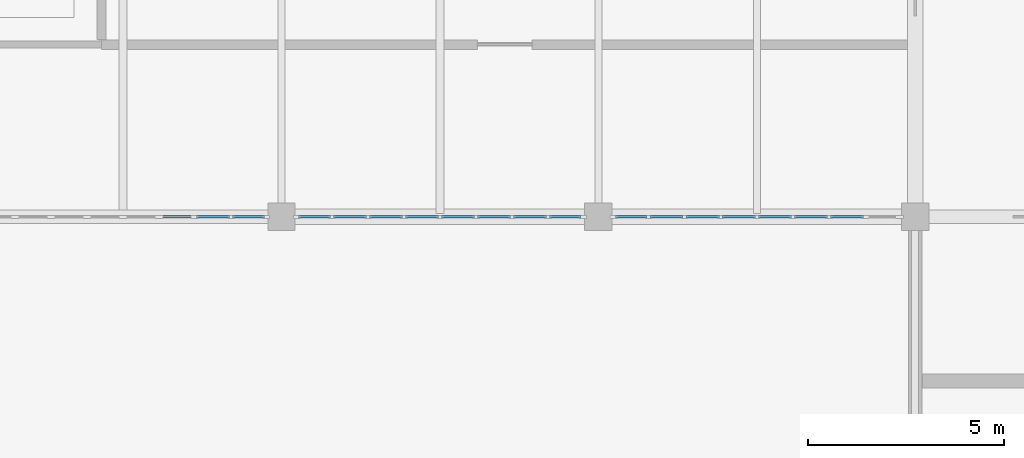
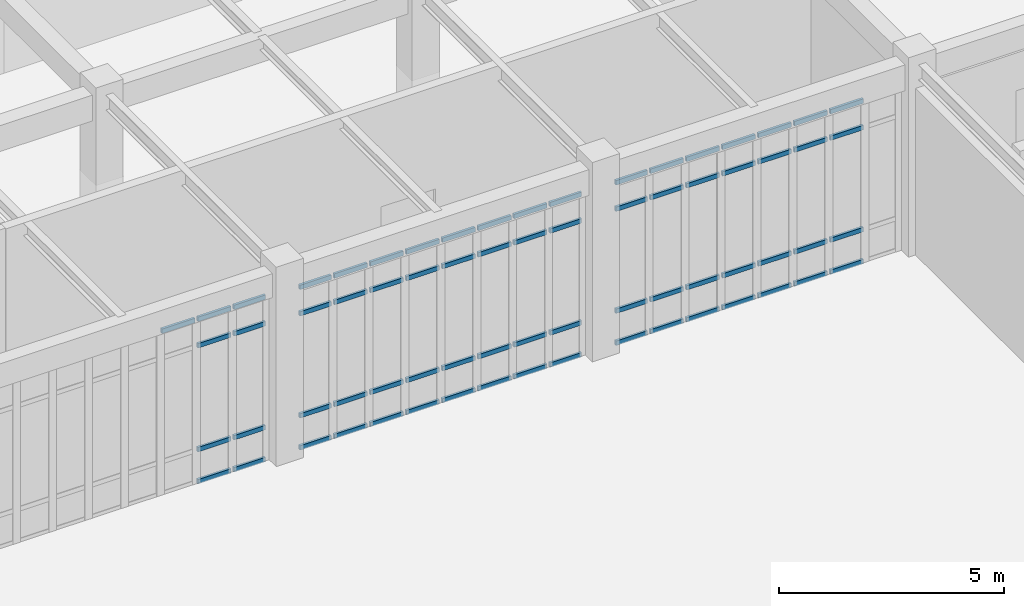
# One storey, part 26 of 62: 69 members, 3 elements without a shape of their own.
"""IFC4 building model written with IfcOpenShell, lengths in metres."""

from ifc_helpers import new_model, si_unit, direction, frame, origin, origin_2d, place, context, subcontext, project, spatial, rectangle, extrude, material, material_profile, profile_set, type_object, element, aggregate, save


model = new_model("IFC4")

# Units and contexts
model_context = context("Model", 3, precision=1e-05, world=origin(), true_north=direction((0.0, 1.0)))
body_context = subcontext(model_context, "Body", "Model", "MODEL_VIEW")
ifc_project = project(units=[si_unit("LENGTHUNIT", "METRE"), si_unit("AREAUNIT", "SQUARE_METRE"), si_unit("VOLUMEUNIT", "CUBIC_METRE"), si_unit("PLANEANGLEUNIT", "RADIAN"), si_unit("MASSUNIT", "GRAM", prefix="KILO")], contexts=[model_context])

# Site, building, storey
site_placement = place(None, origin())
site = spatial("IfcSite", under=ifc_project, at=site_placement, CompositionType="ELEMENT")
building_placement = place(site_placement, origin())
building = spatial("IfcBuilding", under=site, at=building_placement, Name="Tarnveldt Square Police Headquarters", CompositionType="ELEMENT")
storey_placement = place(building_placement, origin())
storey = spatial("IfcBuildingStorey", under=building, at=storey_placement, Name="L00", CompositionType="ELEMENT", Elevation=0.0)

# Curtain wall, members
ifc_material_1 = material(Name="Triple-glazed low-e laminated vision glass", Category="glass")
curtain_wall_type_1 = type_object("IfcCurtainWallType", Name="CW-LB-737x446", PredefinedType="USERDEFINED", material=ifc_material_1)
curtain_wall_1_placement = place(storey_placement, origin())
curtain_wall_1 = element("IfcCurtainWall", 1, at=curtain_wall_1_placement, inside=storey, type_object=curtain_wall_type_1, Name="L00 Curtain Wall CW-L00-102", ObjectType="GLAZED CURTAIN WALL", PredefinedType="USERDEFINED")
ifc_material_2 = material(Name="Thermally broken anodised aluminium 6063-T6", Category="aluminium")
ifc_material_profile = material_profile(ifc_material_2, rectangle(XDim=0.06494140625, YDim=0.1201171875, at=origin_2d()), Name="CW-T65x120")
ifc_profile_set = profile_set([ifc_material_profile], Name="Thermally broken anodised aluminium 6063-T6")
member_type = type_object("IfcMemberType", Name="CWT-65x120", PredefinedType="USERDEFINED", material=ifc_profile_set)
member_1_placement = place(storey_placement, frame((86.0087890625, 96.0, 4.429443359375), z_axis=(1.0, 0.0, 0.0), x_axis=(0.0, 1.0, 0.0)))
member_1 = element("IfcMember", 2, at=member_1_placement, type_object=member_type, Name="CW-LB58 transom 6.4", ObjectType="TRANSOM", PredefinedType="USERDEFINED", context=body_context, shape_type="SweptSolid", body=[
    extrude(rectangle(XDim=0.06494140625, YDim=0.1201171875, at=origin_2d()), origin(), (0.0, 0.0, 1.0), 0.84619140625),
])
member_2_placement = place(storey_placement, frame((86.929931640625, 96.0, 0.032470703125), z_axis=(1.0, 0.0, 0.0), x_axis=(0.0, 1.0, 0.0)))
member_2 = element("IfcMember", 3, at=member_2_placement, type_object=member_type, Name="CW-LB58 transom 7.1", ObjectType="TRANSOM", PredefinedType="USERDEFINED", context=body_context, shape_type="SweptSolid", body=[
    extrude(rectangle(XDim=0.06494140625, YDim=0.1201171875, at=origin_2d()), origin(), (0.0, 0.0, 1.0), 0.846435546875),
])
member_3_placement = place(storey_placement, frame((86.929931640625, 96.0, 0.89990234375), z_axis=(1.0, 0.0, 0.0), x_axis=(0.0, 1.0, 0.0)))
member_3 = element("IfcMember", 4, at=member_3_placement, type_object=member_type, Name="CW-LB58 transom 7.2", ObjectType="TRANSOM", PredefinedType="USERDEFINED", context=body_context, shape_type="SweptSolid", body=[
    extrude(rectangle(XDim=0.06494140625, YDim=0.1201171875, at=origin_2d()), origin(), (0.0, 0.0, 1.0), 0.846435546875),
])
member_4_placement = place(storey_placement, frame((86.929931640625, 96.0, 3.7119140625), z_axis=(1.0, 0.0, 0.0), x_axis=(0.0, 1.0, 0.0)))
member_4 = element("IfcMember", 5, at=member_4_placement, type_object=member_type, Name="CW-LB58 transom 7.3", ObjectType="TRANSOM", PredefinedType="USERDEFINED", context=body_context, shape_type="SweptSolid", body=[
    extrude(rectangle(XDim=0.06494140625, YDim=0.1201171875, at=origin_2d()), origin(), (0.0, 0.0, 1.0), 0.846435546875),
])
member_5_placement = place(storey_placement, frame((86.929931640625, 96.0, 4.429443359375), z_axis=(1.0, 0.0, 0.0), x_axis=(0.0, 1.0, 0.0)))
member_5 = element("IfcMember", 6, at=member_5_placement, type_object=member_type, Name="CW-LB58 transom 7.4", ObjectType="TRANSOM", PredefinedType="USERDEFINED", context=body_context, shape_type="SweptSolid", body=[
    extrude(rectangle(XDim=0.06494140625, YDim=0.1201171875, at=origin_2d()), origin(), (0.0, 0.0, 1.0), 0.846435546875),
])
member_6_placement = place(storey_placement, frame((87.851318359375, 96.0, 0.032470703125), z_axis=(1.0, 0.0, 0.0), x_axis=(0.0, 1.0, 0.0)))
member_6 = element("IfcMember", 7, at=member_6_placement, type_object=member_type, Name="CW-LB58 transom 8.1", ObjectType="TRANSOM", PredefinedType="USERDEFINED", context=body_context, shape_type="SweptSolid", body=[
    extrude(rectangle(XDim=0.06494140625, YDim=0.1201171875, at=origin_2d()), origin(), (0.0, 0.0, 1.0), 0.80859375),
])
member_7_placement = place(storey_placement, frame((87.851318359375, 96.0, 0.89990234375), z_axis=(1.0, 0.0, 0.0), x_axis=(0.0, 1.0, 0.0)))
member_7 = element("IfcMember", 8, at=member_7_placement, type_object=member_type, Name="CW-LB58 transom 8.2", ObjectType="TRANSOM", PredefinedType="USERDEFINED", context=body_context, shape_type="SweptSolid", body=[
    extrude(rectangle(XDim=0.06494140625, YDim=0.1201171875, at=origin_2d()), origin(), (0.0, 0.0, 1.0), 0.80859375),
])
member_8_placement = place(storey_placement, frame((87.851318359375, 96.0, 3.7119140625), z_axis=(1.0, 0.0, 0.0), x_axis=(0.0, 1.0, 0.0)))
member_8 = element("IfcMember", 9, at=member_8_placement, type_object=member_type, Name="CW-LB58 transom 8.3", ObjectType="TRANSOM", PredefinedType="USERDEFINED", context=body_context, shape_type="SweptSolid", body=[
    extrude(rectangle(XDim=0.06494140625, YDim=0.1201171875, at=origin_2d()), origin(), (0.0, 0.0, 1.0), 0.80859375),
])
member_9_placement = place(storey_placement, frame((87.851318359375, 96.0, 4.429443359375), z_axis=(1.0, 0.0, 0.0), x_axis=(0.0, 1.0, 0.0)))
member_9 = element("IfcMember", 10, at=member_9_placement, type_object=member_type, Name="CW-LB58 transom 8.4", ObjectType="TRANSOM", PredefinedType="USERDEFINED", context=body_context, shape_type="SweptSolid", body=[
    extrude(rectangle(XDim=0.06494140625, YDim=0.1201171875, at=origin_2d()), origin(), (0.0, 0.0, 1.0), 0.80859375),
])
aggregate(curtain_wall_1, [member_1, member_2, member_3, member_4, member_5, member_6, member_7, member_8, member_9])

curtain_wall_type_2 = type_object("IfcCurtainWallType", Name="CW-LB-737x441", PredefinedType="USERDEFINED", material=ifc_material_1)
curtain_wall_2_placement = place(storey_placement, origin())
curtain_wall_2 = element("IfcCurtainWall", 11, at=curtain_wall_2_placement, inside=storey, type_object=curtain_wall_type_2, Name="L00 Curtain Wall CW-L00-103", ObjectType="GLAZED CURTAIN WALL", PredefinedType="USERDEFINED")
member_10_placement = place(storey_placement, frame((89.5400390625, 96.0, 0.032470703125), z_axis=(1.0, 0.0, 0.0), x_axis=(0.0, 1.0, 0.0)))
member_10 = element("IfcMember", 12, at=member_10_placement, type_object=member_type, Name="CW-LB59 transom 1.1", ObjectType="TRANSOM", PredefinedType="USERDEFINED", context=body_context, shape_type="SweptSolid", body=[
    extrude(rectangle(XDim=0.06494140625, YDim=0.1201171875, at=origin_2d()), origin(), (0.0, 0.0, 1.0), 0.80859375),
])
member_11_placement = place(storey_placement, frame((89.5400390625, 96.0, 0.89990234375), z_axis=(1.0, 0.0, 0.0), x_axis=(0.0, 1.0, 0.0)))
member_11 = element("IfcMember", 13, at=member_11_placement, type_object=member_type, Name="CW-LB59 transom 1.2", ObjectType="TRANSOM", PredefinedType="USERDEFINED", context=body_context, shape_type="SweptSolid", body=[
    extrude(rectangle(XDim=0.06494140625, YDim=0.1201171875, at=origin_2d()), origin(), (0.0, 0.0, 1.0), 0.80859375),
])
member_12_placement = place(storey_placement, frame((89.5400390625, 96.0, 3.662109375), z_axis=(1.0, 0.0, 0.0), x_axis=(0.0, 1.0, 0.0)))
member_12 = element("IfcMember", 14, at=member_12_placement, type_object=member_type, Name="CW-LB59 transom 1.3", ObjectType="TRANSOM", PredefinedType="USERDEFINED", context=body_context, shape_type="SweptSolid", body=[
    extrude(rectangle(XDim=0.06494140625, YDim=0.1201171875, at=origin_2d()), origin(), (0.0, 0.0, 1.0), 0.80859375),
])
member_13_placement = place(storey_placement, frame((89.5400390625, 96.0, 4.37939453125), z_axis=(1.0, 0.0, 0.0), x_axis=(0.0, 1.0, 0.0)))
member_13 = element("IfcMember", 15, at=member_13_placement, type_object=member_type, Name="CW-LB59 transom 1.4", ObjectType="TRANSOM", PredefinedType="USERDEFINED", context=body_context, shape_type="SweptSolid", body=[
    extrude(rectangle(XDim=0.06494140625, YDim=0.1201171875, at=origin_2d()), origin(), (0.0, 0.0, 1.0), 0.80859375),
])
member_14_placement = place(storey_placement, frame((90.423828125, 96.0, 0.032470703125), z_axis=(1.0, 0.0, 0.0), x_axis=(0.0, 1.0, 0.0)))
member_14 = element("IfcMember", 16, at=member_14_placement, type_object=member_type, Name="CW-LB59 transom 2.1", ObjectType="TRANSOM", PredefinedType="USERDEFINED", context=body_context, shape_type="SweptSolid", body=[
    extrude(rectangle(XDim=0.06494140625, YDim=0.1201171875, at=origin_2d()), origin(), (0.0, 0.0, 1.0), 0.84619140625),
])
member_15_placement = place(storey_placement, frame((90.423828125, 96.0, 0.89990234375), z_axis=(1.0, 0.0, 0.0), x_axis=(0.0, 1.0, 0.0)))
member_15 = element("IfcMember", 17, at=member_15_placement, type_object=member_type, Name="CW-LB59 transom 2.2", ObjectType="TRANSOM", PredefinedType="USERDEFINED", context=body_context, shape_type="SweptSolid", body=[
    extrude(rectangle(XDim=0.06494140625, YDim=0.1201171875, at=origin_2d()), origin(), (0.0, 0.0, 1.0), 0.84619140625),
])
member_16_placement = place(storey_placement, frame((90.423828125, 96.0, 3.662109375), z_axis=(1.0, 0.0, 0.0), x_axis=(0.0, 1.0, 0.0)))
member_16 = element("IfcMember", 18, at=member_16_placement, type_object=member_type, Name="CW-LB59 transom 2.3", ObjectType="TRANSOM", PredefinedType="USERDEFINED", context=body_context, shape_type="SweptSolid", body=[
    extrude(rectangle(XDim=0.06494140625, YDim=0.1201171875, at=origin_2d()), origin(), (0.0, 0.0, 1.0), 0.84619140625),
])
member_17_placement = place(storey_placement, frame((90.423828125, 96.0, 4.37939453125), z_axis=(1.0, 0.0, 0.0), x_axis=(0.0, 1.0, 0.0)))
member_17 = element("IfcMember", 19, at=member_17_placement, type_object=member_type, Name="CW-LB59 transom 2.4", ObjectType="TRANSOM", PredefinedType="USERDEFINED", context=body_context, shape_type="SweptSolid", body=[
    extrude(rectangle(XDim=0.06494140625, YDim=0.1201171875, at=origin_2d()), origin(), (0.0, 0.0, 1.0), 0.84619140625),
])
member_18_placement = place(storey_placement, frame((91.344970703125, 96.0, 0.032470703125), z_axis=(1.0, 0.0, 0.0), x_axis=(0.0, 1.0, 0.0)))
member_18 = element("IfcMember", 20, at=member_18_placement, type_object=member_type, Name="CW-LB59 transom 3.1", ObjectType="TRANSOM", PredefinedType="USERDEFINED", context=body_context, shape_type="SweptSolid", body=[
    extrude(rectangle(XDim=0.06494140625, YDim=0.1201171875, at=origin_2d()), origin(), (0.0, 0.0, 1.0), 0.84619140625),
])
member_19_placement = place(storey_placement, frame((91.344970703125, 96.0, 0.89990234375), z_axis=(1.0, 0.0, 0.0), x_axis=(0.0, 1.0, 0.0)))
member_19 = element("IfcMember", 21, at=member_19_placement, type_object=member_type, Name="CW-LB59 transom 3.2", ObjectType="TRANSOM", PredefinedType="USERDEFINED", context=body_context, shape_type="SweptSolid", body=[
    extrude(rectangle(XDim=0.06494140625, YDim=0.1201171875, at=origin_2d()), origin(), (0.0, 0.0, 1.0), 0.84619140625),
])
member_20_placement = place(storey_placement, frame((91.344970703125, 96.0, 3.662109375), z_axis=(1.0, 0.0, 0.0), x_axis=(0.0, 1.0, 0.0)))
member_20 = element("IfcMember", 22, at=member_20_placement, type_object=member_type, Name="CW-LB59 transom 3.3", ObjectType="TRANSOM", PredefinedType="USERDEFINED", context=body_context, shape_type="SweptSolid", body=[
    extrude(rectangle(XDim=0.06494140625, YDim=0.1201171875, at=origin_2d()), origin(), (0.0, 0.0, 1.0), 0.84619140625),
])
member_21_placement = place(storey_placement, frame((91.344970703125, 96.0, 4.37939453125), z_axis=(1.0, 0.0, 0.0), x_axis=(0.0, 1.0, 0.0)))
member_21 = element("IfcMember", 23, at=member_21_placement, type_object=member_type, Name="CW-LB59 transom 3.4", ObjectType="TRANSOM", PredefinedType="USERDEFINED", context=body_context, shape_type="SweptSolid", body=[
    extrude(rectangle(XDim=0.06494140625, YDim=0.1201171875, at=origin_2d()), origin(), (0.0, 0.0, 1.0), 0.84619140625),
])
member_22_placement = place(storey_placement, frame((92.266357421875, 96.0, 0.032470703125), z_axis=(1.0, 0.0, 0.0), x_axis=(0.0, 1.0, 0.0)))
member_22 = element("IfcMember", 24, at=member_22_placement, type_object=member_type, Name="CW-LB59 transom 4.1", ObjectType="TRANSOM", PredefinedType="USERDEFINED", context=body_context, shape_type="SweptSolid", body=[
    extrude(rectangle(XDim=0.06494140625, YDim=0.1201171875, at=origin_2d()), origin(), (0.0, 0.0, 1.0), 0.84619140625),
])
member_23_placement = place(storey_placement, frame((92.266357421875, 96.0, 0.89990234375), z_axis=(1.0, 0.0, 0.0), x_axis=(0.0, 1.0, 0.0)))
member_23 = element("IfcMember", 25, at=member_23_placement, type_object=member_type, Name="CW-LB59 transom 4.2", ObjectType="TRANSOM", PredefinedType="USERDEFINED", context=body_context, shape_type="SweptSolid", body=[
    extrude(rectangle(XDim=0.06494140625, YDim=0.1201171875, at=origin_2d()), origin(), (0.0, 0.0, 1.0), 0.84619140625),
])
member_24_placement = place(storey_placement, frame((92.266357421875, 96.0, 3.662109375), z_axis=(1.0, 0.0, 0.0), x_axis=(0.0, 1.0, 0.0)))
member_24 = element("IfcMember", 26, at=member_24_placement, type_object=member_type, Name="CW-LB59 transom 4.3", ObjectType="TRANSOM", PredefinedType="USERDEFINED", context=body_context, shape_type="SweptSolid", body=[
    extrude(rectangle(XDim=0.06494140625, YDim=0.1201171875, at=origin_2d()), origin(), (0.0, 0.0, 1.0), 0.84619140625),
])
member_25_placement = place(storey_placement, frame((92.266357421875, 96.0, 4.37939453125), z_axis=(1.0, 0.0, 0.0), x_axis=(0.0, 1.0, 0.0)))
member_25 = element("IfcMember", 27, at=member_25_placement, type_object=member_type, Name="CW-LB59 transom 4.4", ObjectType="TRANSOM", PredefinedType="USERDEFINED", context=body_context, shape_type="SweptSolid", body=[
    extrude(rectangle(XDim=0.06494140625, YDim=0.1201171875, at=origin_2d()), origin(), (0.0, 0.0, 1.0), 0.84619140625),
])
member_26_placement = place(storey_placement, frame((93.1875, 96.0, 0.032470703125), z_axis=(1.0, 0.0, 0.0), x_axis=(0.0, 1.0, 0.0)))
member_26 = element("IfcMember", 28, at=member_26_placement, type_object=member_type, Name="CW-LB59 transom 5.1", ObjectType="TRANSOM", PredefinedType="USERDEFINED", context=body_context, shape_type="SweptSolid", body=[
    extrude(rectangle(XDim=0.06494140625, YDim=0.1201171875, at=origin_2d()), origin(), (0.0, 0.0, 1.0), 0.84619140625),
])
member_27_placement = place(storey_placement, frame((93.1875, 96.0, 0.89990234375), z_axis=(1.0, 0.0, 0.0), x_axis=(0.0, 1.0, 0.0)))
member_27 = element("IfcMember", 29, at=member_27_placement, type_object=member_type, Name="CW-LB59 transom 5.2", ObjectType="TRANSOM", PredefinedType="USERDEFINED", context=body_context, shape_type="SweptSolid", body=[
    extrude(rectangle(XDim=0.06494140625, YDim=0.1201171875, at=origin_2d()), origin(), (0.0, 0.0, 1.0), 0.84619140625),
])
member_28_placement = place(storey_placement, frame((93.1875, 96.0, 3.662109375), z_axis=(1.0, 0.0, 0.0), x_axis=(0.0, 1.0, 0.0)))
member_28 = element("IfcMember", 30, at=member_28_placement, type_object=member_type, Name="CW-LB59 transom 5.3", ObjectType="TRANSOM", PredefinedType="USERDEFINED", context=body_context, shape_type="SweptSolid", body=[
    extrude(rectangle(XDim=0.06494140625, YDim=0.1201171875, at=origin_2d()), origin(), (0.0, 0.0, 1.0), 0.84619140625),
])
member_29_placement = place(storey_placement, frame((93.1875, 96.0, 4.37939453125), z_axis=(1.0, 0.0, 0.0), x_axis=(0.0, 1.0, 0.0)))
member_29 = element("IfcMember", 31, at=member_29_placement, type_object=member_type, Name="CW-LB59 transom 5.4", ObjectType="TRANSOM", PredefinedType="USERDEFINED", context=body_context, shape_type="SweptSolid", body=[
    extrude(rectangle(XDim=0.06494140625, YDim=0.1201171875, at=origin_2d()), origin(), (0.0, 0.0, 1.0), 0.84619140625),
])
member_30_placement = place(storey_placement, frame((94.108642578125, 96.0, 0.032470703125), z_axis=(1.0, 0.0, 0.0), x_axis=(0.0, 1.0, 0.0)))
member_30 = element("IfcMember", 32, at=member_30_placement, type_object=member_type, Name="CW-LB59 transom 6.1", ObjectType="TRANSOM", PredefinedType="USERDEFINED", context=body_context, shape_type="SweptSolid", body=[
    extrude(rectangle(XDim=0.06494140625, YDim=0.1201171875, at=origin_2d()), origin(), (0.0, 0.0, 1.0), 0.846435546875),
])
member_31_placement = place(storey_placement, frame((94.108642578125, 96.0, 0.89990234375), z_axis=(1.0, 0.0, 0.0), x_axis=(0.0, 1.0, 0.0)))
member_31 = element("IfcMember", 33, at=member_31_placement, type_object=member_type, Name="CW-LB59 transom 6.2", ObjectType="TRANSOM", PredefinedType="USERDEFINED", context=body_context, shape_type="SweptSolid", body=[
    extrude(rectangle(XDim=0.06494140625, YDim=0.1201171875, at=origin_2d()), origin(), (0.0, 0.0, 1.0), 0.846435546875),
])
member_32_placement = place(storey_placement, frame((94.108642578125, 96.0, 3.662109375), z_axis=(1.0, 0.0, 0.0), x_axis=(0.0, 1.0, 0.0)))
member_32 = element("IfcMember", 34, at=member_32_placement, type_object=member_type, Name="CW-LB59 transom 6.3", ObjectType="TRANSOM", PredefinedType="USERDEFINED", context=body_context, shape_type="SweptSolid", body=[
    extrude(rectangle(XDim=0.06494140625, YDim=0.1201171875, at=origin_2d()), origin(), (0.0, 0.0, 1.0), 0.846435546875),
])
member_33_placement = place(storey_placement, frame((94.108642578125, 96.0, 4.37939453125), z_axis=(1.0, 0.0, 0.0), x_axis=(0.0, 1.0, 0.0)))
member_33 = element("IfcMember", 35, at=member_33_placement, type_object=member_type, Name="CW-LB59 transom 6.4", ObjectType="TRANSOM", PredefinedType="USERDEFINED", context=body_context, shape_type="SweptSolid", body=[
    extrude(rectangle(XDim=0.06494140625, YDim=0.1201171875, at=origin_2d()), origin(), (0.0, 0.0, 1.0), 0.846435546875),
])
member_34_placement = place(storey_placement, frame((95.030029296875, 96.0, 0.032470703125), z_axis=(1.0, 0.0, 0.0), x_axis=(0.0, 1.0, 0.0)))
member_34 = element("IfcMember", 36, at=member_34_placement, type_object=member_type, Name="CW-LB59 transom 7.1", ObjectType="TRANSOM", PredefinedType="USERDEFINED", context=body_context, shape_type="SweptSolid", body=[
    extrude(rectangle(XDim=0.06494140625, YDim=0.1201171875, at=origin_2d()), origin(), (0.0, 0.0, 1.0), 0.84619140625),
])
member_35_placement = place(storey_placement, frame((95.030029296875, 96.0, 0.89990234375), z_axis=(1.0, 0.0, 0.0), x_axis=(0.0, 1.0, 0.0)))
member_35 = element("IfcMember", 37, at=member_35_placement, type_object=member_type, Name="CW-LB59 transom 7.2", ObjectType="TRANSOM", PredefinedType="USERDEFINED", context=body_context, shape_type="SweptSolid", body=[
    extrude(rectangle(XDim=0.06494140625, YDim=0.1201171875, at=origin_2d()), origin(), (0.0, 0.0, 1.0), 0.84619140625),
])
member_36_placement = place(storey_placement, frame((95.030029296875, 96.0, 3.662109375), z_axis=(1.0, 0.0, 0.0), x_axis=(0.0, 1.0, 0.0)))
member_36 = element("IfcMember", 38, at=member_36_placement, type_object=member_type, Name="CW-LB59 transom 7.3", ObjectType="TRANSOM", PredefinedType="USERDEFINED", context=body_context, shape_type="SweptSolid", body=[
    extrude(rectangle(XDim=0.06494140625, YDim=0.1201171875, at=origin_2d()), origin(), (0.0, 0.0, 1.0), 0.84619140625),
])
member_37_placement = place(storey_placement, frame((95.030029296875, 96.0, 4.37939453125), z_axis=(1.0, 0.0, 0.0), x_axis=(0.0, 1.0, 0.0)))
member_37 = element("IfcMember", 39, at=member_37_placement, type_object=member_type, Name="CW-LB59 transom 7.4", ObjectType="TRANSOM", PredefinedType="USERDEFINED", context=body_context, shape_type="SweptSolid", body=[
    extrude(rectangle(XDim=0.06494140625, YDim=0.1201171875, at=origin_2d()), origin(), (0.0, 0.0, 1.0), 0.84619140625),
])
member_38_placement = place(storey_placement, frame((95.951171875, 96.0, 0.032470703125), z_axis=(1.0, 0.0, 0.0), x_axis=(0.0, 1.0, 0.0)))
member_38 = element("IfcMember", 40, at=member_38_placement, type_object=member_type, Name="CW-LB59 transom 8.1", ObjectType="TRANSOM", PredefinedType="USERDEFINED", context=body_context, shape_type="SweptSolid", body=[
    extrude(rectangle(XDim=0.06494140625, YDim=0.1201171875, at=origin_2d()), origin(), (0.0, 0.0, 1.0), 0.808837890625),
])
member_39_placement = place(storey_placement, frame((95.951171875, 96.0, 0.89990234375), z_axis=(1.0, 0.0, 0.0), x_axis=(0.0, 1.0, 0.0)))
member_39 = element("IfcMember", 41, at=member_39_placement, type_object=member_type, Name="CW-LB59 transom 8.2", ObjectType="TRANSOM", PredefinedType="USERDEFINED", context=body_context, shape_type="SweptSolid", body=[
    extrude(rectangle(XDim=0.06494140625, YDim=0.1201171875, at=origin_2d()), origin(), (0.0, 0.0, 1.0), 0.808837890625),
])
member_40_placement = place(storey_placement, frame((95.951171875, 96.0, 3.662109375), z_axis=(1.0, 0.0, 0.0), x_axis=(0.0, 1.0, 0.0)))
member_40 = element("IfcMember", 42, at=member_40_placement, type_object=member_type, Name="CW-LB59 transom 8.3", ObjectType="TRANSOM", PredefinedType="USERDEFINED", context=body_context, shape_type="SweptSolid", body=[
    extrude(rectangle(XDim=0.06494140625, YDim=0.1201171875, at=origin_2d()), origin(), (0.0, 0.0, 1.0), 0.808837890625),
])
member_41_placement = place(storey_placement, frame((95.951171875, 96.0, 4.37939453125), z_axis=(1.0, 0.0, 0.0), x_axis=(0.0, 1.0, 0.0)))
member_41 = element("IfcMember", 43, at=member_41_placement, type_object=member_type, Name="CW-LB59 transom 8.4", ObjectType="TRANSOM", PredefinedType="USERDEFINED", context=body_context, shape_type="SweptSolid", body=[
    extrude(rectangle(XDim=0.06494140625, YDim=0.1201171875, at=origin_2d()), origin(), (0.0, 0.0, 1.0), 0.808837890625),
])
aggregate(curtain_wall_2, [member_10, member_11, member_12, member_13, member_14, member_15, member_16, member_17, member_18, member_19, member_20, member_21, member_22, member_23, member_24, member_25, member_26, member_27, member_28, member_29, member_30, member_31, member_32, member_33, member_34, member_35, member_36, member_37, member_38, member_39, member_40, member_41])

curtain_wall_3_placement = place(storey_placement, origin())
curtain_wall_3 = element("IfcCurtainWall", 44, at=curtain_wall_3_placement, inside=storey, type_object=curtain_wall_type_2, Name="L00 Curtain Wall CW-L00-104", ObjectType="GLAZED CURTAIN WALL", PredefinedType="USERDEFINED")
member_42_placement = place(storey_placement, frame((97.639892578125, 96.0, 0.032470703125), z_axis=(1.0, 0.0, 0.0), x_axis=(0.0, 1.0, 0.0)))
member_42 = element("IfcMember", 45, at=member_42_placement, type_object=member_type, Name="CW-LB59 transom 1.1", ObjectType="TRANSOM", PredefinedType="USERDEFINED", context=body_context, shape_type="SweptSolid", body=[
    extrude(rectangle(XDim=0.06494140625, YDim=0.1201171875, at=origin_2d()), origin(), (0.0, 0.0, 1.0), 0.808837890625),
])
member_43_placement = place(storey_placement, frame((97.639892578125, 96.0, 0.89990234375), z_axis=(1.0, 0.0, 0.0), x_axis=(0.0, 1.0, 0.0)))
member_43 = element("IfcMember", 46, at=member_43_placement, type_object=member_type, Name="CW-LB59 transom 1.2", ObjectType="TRANSOM", PredefinedType="USERDEFINED", context=body_context, shape_type="SweptSolid", body=[
    extrude(rectangle(XDim=0.06494140625, YDim=0.1201171875, at=origin_2d()), origin(), (0.0, 0.0, 1.0), 0.808837890625),
])
member_44_placement = place(storey_placement, frame((97.639892578125, 96.0, 3.662109375), z_axis=(1.0, 0.0, 0.0), x_axis=(0.0, 1.0, 0.0)))
member_44 = element("IfcMember", 47, at=member_44_placement, type_object=member_type, Name="CW-LB59 transom 1.3", ObjectType="TRANSOM", PredefinedType="USERDEFINED", context=body_context, shape_type="SweptSolid", body=[
    extrude(rectangle(XDim=0.06494140625, YDim=0.1201171875, at=origin_2d()), origin(), (0.0, 0.0, 1.0), 0.808837890625),
])
member_45_placement = place(storey_placement, frame((97.639892578125, 96.0, 4.37939453125), z_axis=(1.0, 0.0, 0.0), x_axis=(0.0, 1.0, 0.0)))
member_45 = element("IfcMember", 48, at=member_45_placement, type_object=member_type, Name="CW-LB59 transom 1.4", ObjectType="TRANSOM", PredefinedType="USERDEFINED", context=body_context, shape_type="SweptSolid", body=[
    extrude(rectangle(XDim=0.06494140625, YDim=0.1201171875, at=origin_2d()), origin(), (0.0, 0.0, 1.0), 0.808837890625),
])
member_46_placement = place(storey_placement, frame((98.523681640625, 96.0, 0.032470703125), z_axis=(1.0, 0.0, 0.0), x_axis=(0.0, 1.0, 0.0)))
member_46 = element("IfcMember", 49, at=member_46_placement, type_object=member_type, Name="CW-LB59 transom 2.1", ObjectType="TRANSOM", PredefinedType="USERDEFINED", context=body_context, shape_type="SweptSolid", body=[
    extrude(rectangle(XDim=0.06494140625, YDim=0.1201171875, at=origin_2d()), origin(), (0.0, 0.0, 1.0), 0.846435546875),
])
member_47_placement = place(storey_placement, frame((98.523681640625, 96.0, 0.89990234375), z_axis=(1.0, 0.0, 0.0), x_axis=(0.0, 1.0, 0.0)))
member_47 = element("IfcMember", 50, at=member_47_placement, type_object=member_type, Name="CW-LB59 transom 2.2", ObjectType="TRANSOM", PredefinedType="USERDEFINED", context=body_context, shape_type="SweptSolid", body=[
    extrude(rectangle(XDim=0.06494140625, YDim=0.1201171875, at=origin_2d()), origin(), (0.0, 0.0, 1.0), 0.846435546875),
])
member_48_placement = place(storey_placement, frame((98.523681640625, 96.0, 3.662109375), z_axis=(1.0, 0.0, 0.0), x_axis=(0.0, 1.0, 0.0)))
member_48 = element("IfcMember", 51, at=member_48_placement, type_object=member_type, Name="CW-LB59 transom 2.3", ObjectType="TRANSOM", PredefinedType="USERDEFINED", context=body_context, shape_type="SweptSolid", body=[
    extrude(rectangle(XDim=0.06494140625, YDim=0.1201171875, at=origin_2d()), origin(), (0.0, 0.0, 1.0), 0.846435546875),
])
member_49_placement = place(storey_placement, frame((98.523681640625, 96.0, 4.37939453125), z_axis=(1.0, 0.0, 0.0), x_axis=(0.0, 1.0, 0.0)))
member_49 = element("IfcMember", 52, at=member_49_placement, type_object=member_type, Name="CW-LB59 transom 2.4", ObjectType="TRANSOM", PredefinedType="USERDEFINED", context=body_context, shape_type="SweptSolid", body=[
    extrude(rectangle(XDim=0.06494140625, YDim=0.1201171875, at=origin_2d()), origin(), (0.0, 0.0, 1.0), 0.846435546875),
])
member_50_placement = place(storey_placement, frame((99.445068359375, 96.0, 0.032470703125), z_axis=(1.0, 0.0, 0.0), x_axis=(0.0, 1.0, 0.0)))
member_50 = element("IfcMember", 53, at=member_50_placement, type_object=member_type, Name="CW-LB59 transom 3.1", ObjectType="TRANSOM", PredefinedType="USERDEFINED", context=body_context, shape_type="SweptSolid", body=[
    extrude(rectangle(XDim=0.06494140625, YDim=0.1201171875, at=origin_2d()), origin(), (0.0, 0.0, 1.0), 0.84619140625),
])
member_51_placement = place(storey_placement, frame((99.445068359375, 96.0, 0.89990234375), z_axis=(1.0, 0.0, 0.0), x_axis=(0.0, 1.0, 0.0)))
member_51 = element("IfcMember", 54, at=member_51_placement, type_object=member_type, Name="CW-LB59 transom 3.2", ObjectType="TRANSOM", PredefinedType="USERDEFINED", context=body_context, shape_type="SweptSolid", body=[
    extrude(rectangle(XDim=0.06494140625, YDim=0.1201171875, at=origin_2d()), origin(), (0.0, 0.0, 1.0), 0.84619140625),
])
member_52_placement = place(storey_placement, frame((99.445068359375, 96.0, 3.662109375), z_axis=(1.0, 0.0, 0.0), x_axis=(0.0, 1.0, 0.0)))
member_52 = element("IfcMember", 55, at=member_52_placement, type_object=member_type, Name="CW-LB59 transom 3.3", ObjectType="TRANSOM", PredefinedType="USERDEFINED", context=body_context, shape_type="SweptSolid", body=[
    extrude(rectangle(XDim=0.06494140625, YDim=0.1201171875, at=origin_2d()), origin(), (0.0, 0.0, 1.0), 0.84619140625),
])
member_53_placement = place(storey_placement, frame((99.445068359375, 96.0, 4.37939453125), z_axis=(1.0, 0.0, 0.0), x_axis=(0.0, 1.0, 0.0)))
member_53 = element("IfcMember", 56, at=member_53_placement, type_object=member_type, Name="CW-LB59 transom 3.4", ObjectType="TRANSOM", PredefinedType="USERDEFINED", context=body_context, shape_type="SweptSolid", body=[
    extrude(rectangle(XDim=0.06494140625, YDim=0.1201171875, at=origin_2d()), origin(), (0.0, 0.0, 1.0), 0.84619140625),
])
member_54_placement = place(storey_placement, frame((100.3662109375, 96.0, 0.032470703125), z_axis=(1.0, 0.0, 0.0), x_axis=(0.0, 1.0, 0.0)))
member_54 = element("IfcMember", 57, at=member_54_placement, type_object=member_type, Name="CW-LB59 transom 4.1", ObjectType="TRANSOM", PredefinedType="USERDEFINED", context=body_context, shape_type="SweptSolid", body=[
    extrude(rectangle(XDim=0.06494140625, YDim=0.1201171875, at=origin_2d()), origin(), (0.0, 0.0, 1.0), 0.84619140625),
])
member_55_placement = place(storey_placement, frame((100.3662109375, 96.0, 0.89990234375), z_axis=(1.0, 0.0, 0.0), x_axis=(0.0, 1.0, 0.0)))
member_55 = element("IfcMember", 58, at=member_55_placement, type_object=member_type, Name="CW-LB59 transom 4.2", ObjectType="TRANSOM", PredefinedType="USERDEFINED", context=body_context, shape_type="SweptSolid", body=[
    extrude(rectangle(XDim=0.06494140625, YDim=0.1201171875, at=origin_2d()), origin(), (0.0, 0.0, 1.0), 0.84619140625),
])
member_56_placement = place(storey_placement, frame((100.3662109375, 96.0, 3.662109375), z_axis=(1.0, 0.0, 0.0), x_axis=(0.0, 1.0, 0.0)))
member_56 = element("IfcMember", 59, at=member_56_placement, type_object=member_type, Name="CW-LB59 transom 4.3", ObjectType="TRANSOM", PredefinedType="USERDEFINED", context=body_context, shape_type="SweptSolid", body=[
    extrude(rectangle(XDim=0.06494140625, YDim=0.1201171875, at=origin_2d()), origin(), (0.0, 0.0, 1.0), 0.84619140625),
])
member_57_placement = place(storey_placement, frame((100.3662109375, 96.0, 4.37939453125), z_axis=(1.0, 0.0, 0.0), x_axis=(0.0, 1.0, 0.0)))
member_57 = element("IfcMember", 60, at=member_57_placement, type_object=member_type, Name="CW-LB59 transom 4.4", ObjectType="TRANSOM", PredefinedType="USERDEFINED", context=body_context, shape_type="SweptSolid", body=[
    extrude(rectangle(XDim=0.06494140625, YDim=0.1201171875, at=origin_2d()), origin(), (0.0, 0.0, 1.0), 0.84619140625),
])
member_58_placement = place(storey_placement, frame((101.28759765625, 96.0, 0.032470703125), z_axis=(1.0, 0.0, 0.0), x_axis=(0.0, 1.0, 0.0)))
member_58 = element("IfcMember", 61, at=member_58_placement, type_object=member_type, Name="CW-LB59 transom 5.1", ObjectType="TRANSOM", PredefinedType="USERDEFINED", context=body_context, shape_type="SweptSolid", body=[
    extrude(rectangle(XDim=0.06494140625, YDim=0.1201171875, at=origin_2d()), origin(), (0.0, 0.0, 1.0), 0.84619140625),
])
member_59_placement = place(storey_placement, frame((101.28759765625, 96.0, 0.89990234375), z_axis=(1.0, 0.0, 0.0), x_axis=(0.0, 1.0, 0.0)))
member_59 = element("IfcMember", 62, at=member_59_placement, type_object=member_type, Name="CW-LB59 transom 5.2", ObjectType="TRANSOM", PredefinedType="USERDEFINED", context=body_context, shape_type="SweptSolid", body=[
    extrude(rectangle(XDim=0.06494140625, YDim=0.1201171875, at=origin_2d()), origin(), (0.0, 0.0, 1.0), 0.84619140625),
])
member_60_placement = place(storey_placement, frame((101.28759765625, 96.0, 3.662109375), z_axis=(1.0, 0.0, 0.0), x_axis=(0.0, 1.0, 0.0)))
member_60 = element("IfcMember", 63, at=member_60_placement, type_object=member_type, Name="CW-LB59 transom 5.3", ObjectType="TRANSOM", PredefinedType="USERDEFINED", context=body_context, shape_type="SweptSolid", body=[
    extrude(rectangle(XDim=0.06494140625, YDim=0.1201171875, at=origin_2d()), origin(), (0.0, 0.0, 1.0), 0.84619140625),
])
member_61_placement = place(storey_placement, frame((101.28759765625, 96.0, 4.37939453125), z_axis=(1.0, 0.0, 0.0), x_axis=(0.0, 1.0, 0.0)))
member_61 = element("IfcMember", 64, at=member_61_placement, type_object=member_type, Name="CW-LB59 transom 5.4", ObjectType="TRANSOM", PredefinedType="USERDEFINED", context=body_context, shape_type="SweptSolid", body=[
    extrude(rectangle(XDim=0.06494140625, YDim=0.1201171875, at=origin_2d()), origin(), (0.0, 0.0, 1.0), 0.84619140625),
])
member_62_placement = place(storey_placement, frame((102.208740234375, 96.0, 0.032470703125), z_axis=(1.0, 0.0, 0.0), x_axis=(0.0, 1.0, 0.0)))
member_62 = element("IfcMember", 65, at=member_62_placement, type_object=member_type, Name="CW-LB59 transom 6.1", ObjectType="TRANSOM", PredefinedType="USERDEFINED", context=body_context, shape_type="SweptSolid", body=[
    extrude(rectangle(XDim=0.06494140625, YDim=0.1201171875, at=origin_2d()), origin(), (0.0, 0.0, 1.0), 0.84619140625),
])
member_63_placement = place(storey_placement, frame((102.208740234375, 96.0, 0.89990234375), z_axis=(1.0, 0.0, 0.0), x_axis=(0.0, 1.0, 0.0)))
member_63 = element("IfcMember", 66, at=member_63_placement, type_object=member_type, Name="CW-LB59 transom 6.2", ObjectType="TRANSOM", PredefinedType="USERDEFINED", context=body_context, shape_type="SweptSolid", body=[
    extrude(rectangle(XDim=0.06494140625, YDim=0.1201171875, at=origin_2d()), origin(), (0.0, 0.0, 1.0), 0.84619140625),
])
member_64_placement = place(storey_placement, frame((102.208740234375, 96.0, 3.662109375), z_axis=(1.0, 0.0, 0.0), x_axis=(0.0, 1.0, 0.0)))
member_64 = element("IfcMember", 67, at=member_64_placement, type_object=member_type, Name="CW-LB59 transom 6.3", ObjectType="TRANSOM", PredefinedType="USERDEFINED", context=body_context, shape_type="SweptSolid", body=[
    extrude(rectangle(XDim=0.06494140625, YDim=0.1201171875, at=origin_2d()), origin(), (0.0, 0.0, 1.0), 0.84619140625),
])
member_65_placement = place(storey_placement, frame((102.208740234375, 96.0, 4.37939453125), z_axis=(1.0, 0.0, 0.0), x_axis=(0.0, 1.0, 0.0)))
member_65 = element("IfcMember", 68, at=member_65_placement, type_object=member_type, Name="CW-LB59 transom 6.4", ObjectType="TRANSOM", PredefinedType="USERDEFINED", context=body_context, shape_type="SweptSolid", body=[
    extrude(rectangle(XDim=0.06494140625, YDim=0.1201171875, at=origin_2d()), origin(), (0.0, 0.0, 1.0), 0.84619140625),
])
member_66_placement = place(storey_placement, frame((103.1298828125, 96.0, 0.032470703125), z_axis=(1.0, 0.0, 0.0), x_axis=(0.0, 1.0, 0.0)))
member_66 = element("IfcMember", 69, at=member_66_placement, type_object=member_type, Name="CW-LB59 transom 7.1", ObjectType="TRANSOM", PredefinedType="USERDEFINED", context=body_context, shape_type="SweptSolid", body=[
    extrude(rectangle(XDim=0.06494140625, YDim=0.1201171875, at=origin_2d()), origin(), (0.0, 0.0, 1.0), 0.846435546875),
])
member_67_placement = place(storey_placement, frame((103.1298828125, 96.0, 0.89990234375), z_axis=(1.0, 0.0, 0.0), x_axis=(0.0, 1.0, 0.0)))
member_67 = element("IfcMember", 70, at=member_67_placement, type_object=member_type, Name="CW-LB59 transom 7.2", ObjectType="TRANSOM", PredefinedType="USERDEFINED", context=body_context, shape_type="SweptSolid", body=[
    extrude(rectangle(XDim=0.06494140625, YDim=0.1201171875, at=origin_2d()), origin(), (0.0, 0.0, 1.0), 0.846435546875),
])
member_68_placement = place(storey_placement, frame((103.1298828125, 96.0, 3.662109375), z_axis=(1.0, 0.0, 0.0), x_axis=(0.0, 1.0, 0.0)))
member_68 = element("IfcMember", 71, at=member_68_placement, type_object=member_type, Name="CW-LB59 transom 7.3", ObjectType="TRANSOM", PredefinedType="USERDEFINED", context=body_context, shape_type="SweptSolid", body=[
    extrude(rectangle(XDim=0.06494140625, YDim=0.1201171875, at=origin_2d()), origin(), (0.0, 0.0, 1.0), 0.846435546875),
])
member_69_placement = place(storey_placement, frame((103.1298828125, 96.0, 4.37939453125), z_axis=(1.0, 0.0, 0.0), x_axis=(0.0, 1.0, 0.0)))
member_69 = element("IfcMember", 72, at=member_69_placement, type_object=member_type, Name="CW-LB59 transom 7.4", ObjectType="TRANSOM", PredefinedType="USERDEFINED", context=body_context, shape_type="SweptSolid", body=[
    extrude(rectangle(XDim=0.06494140625, YDim=0.1201171875, at=origin_2d()), origin(), (0.0, 0.0, 1.0), 0.846435546875),
])
aggregate(curtain_wall_3, [member_42, member_43, member_44, member_45, member_46, member_47, member_48, member_49, member_50, member_51, member_52, member_53, member_54, member_55, member_56, member_57, member_58, member_59, member_60, member_61, member_62, member_63, member_64, member_65, member_66, member_67, member_68, member_69])

save(model, "model.ifc")
